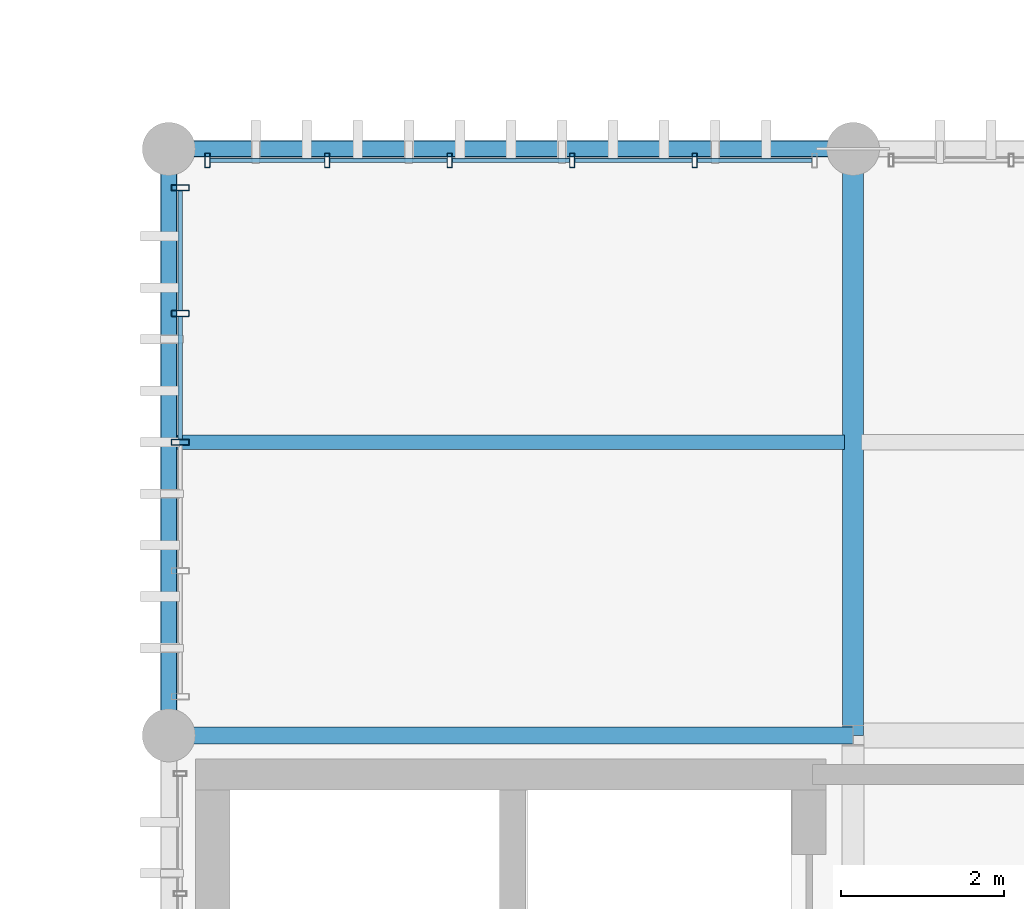
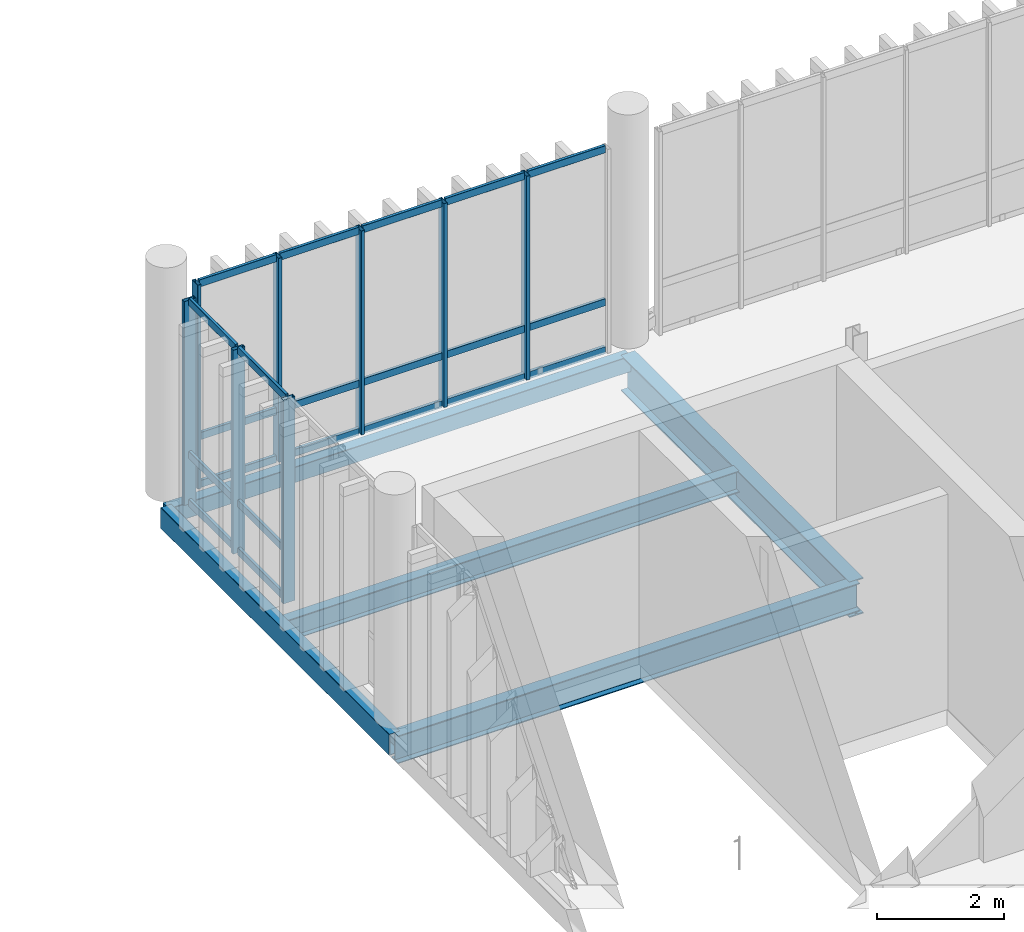
# One storey, part 21 of 66: 29 members, 5 beams, 2 elements without a shape of their own.
"""IFC4 building model written with IfcOpenShell, lengths in metres."""

from ifc_helpers import new_model, si_unit, direction, frame, origin_with_axes, origin_2d_with_axis, place, context, subcontext, project, spatial, hollow_rectangle, i_section, extrude, material, material_profile, profile_set, type_object, element, aggregate, save


model = new_model("IFC4")

# Units and contexts
model_context = context("Model", 3, precision=1e-05, world=origin_with_axes(), true_north=direction((0.0, 1.0)))
body_context = subcontext(model_context, "Body", "Model", "MODEL_VIEW")
ifc_project = project(units=[si_unit("LENGTHUNIT", "METRE"), si_unit("AREAUNIT", "SQUARE_METRE"), si_unit("VOLUMEUNIT", "CUBIC_METRE"), si_unit("PLANEANGLEUNIT", "RADIAN"), si_unit("MASSUNIT", "GRAM", prefix="KILO"), si_unit("THERMODYNAMICTEMPERATUREUNIT", "KELVIN")], contexts=[model_context])

# Site, building, storey
site_placement = place(None, origin_with_axes())
site = spatial("IfcSite", under=ifc_project, at=site_placement, CompositionType="ELEMENT")
building_placement = place(site_placement, origin_with_axes())
building = spatial("IfcBuilding", under=site, at=building_placement, Name="Montbau Bow Law Courts", CompositionType="ELEMENT")
storey_placement = place(building_placement, frame((0.0, 0.0, 34.5), z_axis=(0.0, 0.0, 1.0), x_axis=(1.0, 0.0, 0.0)))
storey = spatial("IfcBuildingStorey", under=building, at=storey_placement, Name="L07", CompositionType="ELEMENT", Elevation=34.5)

# Beams
ifc_material_1 = material(Name="Steel CSA G40.21 Grade 350W (350 MPa)", Category="steel")
ifc_material_profile_1 = material_profile(ifc_material_1, i_section(OverallWidth=0.254, OverallDepth=0.688, WebThickness=0.0131, FlangeThickness=0.0211, at=origin_2d_with_axis()), Name="W690X152", Category="Main", Priority=0)
ifc_profile_set_1 = profile_set([ifc_material_profile_1], Name="Steel CSA G40.21 Grade 350W (350 MPa)")
beam_type_1 = type_object("IfcBeamType", Name="B-FLR-04", PredefinedType="BEAM", material=ifc_profile_set_1)
beam_1_placement = place(None, frame((63.6, 54.6, 33.856), z_axis=(0.0, 1.0, 0.0), x_axis=(-1.0, 0.0, 0.0)))
element("IfcBeam", 1, at=beam_1_placement, inside=storey, type_object=beam_type_1, Name="BM-L07-S1047:bm2_1050", PredefinedType="BEAM", context=body_context, shape_type="SweptSolid", body=[
    extrude(i_section(OverallWidth=0.254, OverallDepth=0.688, WebThickness=0.0131, FlangeThickness=0.0211, at=origin_2d_with_axis()), origin_with_axes(), (0.0, 0.0, 1.0), 7.2),
])
ifc_material_profile_2 = material_profile(ifc_material_1, i_section(OverallWidth=0.21, OverallDepth=0.537, WebThickness=0.0109, FlangeThickness=0.0174, at=origin_2d_with_axis()), Name="W530X101", Category="Main", Priority=0)
ifc_profile_set_2 = profile_set([ifc_material_profile_2], Name="Steel CSA G40.21 Grade 350W (350 MPa)")
beam_type_2 = type_object("IfcBeamType", Name="B-FLR-06", PredefinedType="BEAM", material=ifc_profile_set_2)
beam_2_placement = place(None, frame((55.2, 54.6, 33.931), z_axis=(1.0, 0.0, 0.0), x_axis=(0.0, 1.0, 0.0)))
element("IfcBeam", 2, at=beam_2_placement, inside=storey, type_object=beam_type_2, Name="BM-L07-S1030:bm2_1033", PredefinedType="BEAM", context=body_context, shape_type="SweptSolid", body=[
    extrude(i_section(OverallWidth=0.21, OverallDepth=0.537, WebThickness=0.0109, FlangeThickness=0.0174, at=origin_2d_with_axis()), origin_with_axes(), (0.0, 0.0, 1.0), 8.4),
])
ifc_material_profile_3 = material_profile(ifc_material_1, i_section(OverallWidth=0.179, OverallDepth=0.41, WebThickness=0.0088, FlangeThickness=0.0144, at=origin_2d_with_axis()), Name="W410X67", Category="Main", Priority=0)
ifc_profile_set_3 = profile_set([ifc_material_profile_3], Name="Steel CSA G40.21 Grade 350W (350 MPa)")
beam_type_3 = type_object("IfcBeamType", Name="B-JST-02", PredefinedType="JOIST", material=ifc_profile_set_3)
beam_3_placement = place(None, frame((55.28, 58.2, 33.995), z_axis=(1.0, 0.0, 0.0), x_axis=(0.0, 1.0, 0.0)))
element("IfcBeam", 3, at=beam_3_placement, inside=storey, type_object=beam_type_3, Name="JST-L07-S0529:jst2_0529", PredefinedType="JOIST", context=body_context, shape_type="SweptSolid", body=[
    extrude(i_section(OverallWidth=0.179, OverallDepth=0.41, WebThickness=0.0088, FlangeThickness=0.0144, at=origin_2d_with_axis()), origin_with_axes(), (0.0, 0.0, 1.0), 8.217),
])
ifc_material_2 = material(Name="Steel CSA G40.21 Grade 350WT (350 MPa)", Category="steel")
ifc_material_profile_4 = material_profile(ifc_material_2, hollow_rectangle(XDim=0.203, YDim=0.406, WallThickness=0.0127, InnerFilletRadius=0.0254, OuterFilletRadius=0.0127, at=origin_2d_with_axis()), Name="HSS406X203X13", Category="Main", Priority=0)
ifc_profile_set_4 = profile_set([ifc_material_profile_4], Name="Steel CSA G40.21 Grade 350WT (350 MPa)")
beam_type_4 = type_object("IfcBeamType", Name="B-SPN-01", PredefinedType="SPANDREL", material=ifc_profile_set_4)
beam_4_placement = place(None, frame((55.2, 54.6, 33.997), z_axis=(0.0, 1.0, 0.0), x_axis=(-1.0, 0.0, 0.0)))
element("IfcBeam", 4, at=beam_4_placement, inside=storey, type_object=beam_type_4, Name="SPN-L07-S1044:bm2_1047", PredefinedType="SPANDREL", context=body_context, shape_type="SweptSolid", body=[
    extrude(hollow_rectangle(XDim=0.203, YDim=0.406, WallThickness=0.0127, InnerFilletRadius=0.0254, OuterFilletRadius=0.0127, at=origin_2d_with_axis()), origin_with_axes(), (0.0, 0.0, 1.0), 7.2),
])
ifc_material_profile_5 = material_profile(ifc_material_2, hollow_rectangle(XDim=0.203, YDim=0.305, WallThickness=0.0127, InnerFilletRadius=0.0254, OuterFilletRadius=0.0127, at=origin_2d_with_axis()), Name="HSS305X203X13", Category="Main", Priority=0)
ifc_profile_set_5 = profile_set([ifc_material_profile_5], Name="Steel CSA G40.21 Grade 350WT (350 MPa)")
beam_type_5 = type_object("IfcBeamType", Name="B-SPN-02", PredefinedType="SPANDREL", material=ifc_profile_set_5)
beam_5_placement = place(None, frame((55.2, 61.8, 34.047), z_axis=(1.0, 0.0, 0.0), x_axis=(0.0, 1.0, 0.0)))
element("IfcBeam", 5, at=beam_5_placement, inside=storey, type_object=beam_type_5, Name="SPN-L07-S1036:bm2_1039", PredefinedType="SPANDREL", context=body_context, shape_type="SweptSolid", body=[
    extrude(hollow_rectangle(XDim=0.203, YDim=0.305, WallThickness=0.0127, InnerFilletRadius=0.0254, OuterFilletRadius=0.0127, at=origin_2d_with_axis()), origin_with_axes(), (0.0, 0.0, 1.0), 8.4),
])

# Curtain wall, members
ifc_material_3 = material(Name="Thermally Broken Extruded Aluminium AA 6063-T6", Category="aluminium")
curtain_wall_type = type_object("IfcCurtainWallType", Name="CW-CRM-02", PredefinedType="NOTDEFINED", material=ifc_material_3)
curtain_wall_1_placement = place(None, frame((55.34, 55.04, 34.5), z_axis=(0.0, 0.0, 1.0), x_axis=(1.0, 0.0, 0.0)))
curtain_wall_1 = element("IfcCurtainWall", 6, at=curtain_wall_1_placement, inside=storey, type_object=curtain_wall_type, Name="CW-L07-255:cw_0255", PredefinedType="NOTDEFINED")
ifc_material_profile_6 = material_profile(ifc_material_3, hollow_rectangle(XDim=0.075, YDim=0.22, WallThickness=0.005, InnerFilletRadius=0.01, OuterFilletRadius=0.005, at=origin_2d_with_axis()), Name="CWM-220X75", Category="Main", Priority=0)
ifc_profile_set_6 = profile_set([ifc_material_profile_6], Name="Thermally Broken Extruded Aluminium AA 6063-T6")
member_type_1 = type_object("IfcMemberType", Name="M-MUL-01", PredefinedType="MULLION", material=ifc_profile_set_6)
member_1_placement = place(None, frame((55.34, 58.2, 34.5), z_axis=(0.0, 0.0, 1.0), x_axis=(0.0, 1.0, 0.0)))
member_1 = element("IfcMember", 7, at=member_1_placement, type_object=member_type_1, Name="CW-L07-255-M03:cw_0255_M03", PredefinedType="MULLION", context=body_context, shape_type="SweptSolid", body=[
    extrude(hollow_rectangle(XDim=0.075, YDim=0.22, WallThickness=0.005, InnerFilletRadius=0.01, OuterFilletRadius=0.005, at=origin_2d_with_axis()), origin_with_axes(), (0.0, 0.0, 1.0), 3.92),
])
member_2_placement = place(None, frame((55.34, 59.78, 34.5), z_axis=(0.0, 0.0, 1.0), x_axis=(0.0, 1.0, 0.0)))
member_2 = element("IfcMember", 8, at=member_2_placement, type_object=member_type_1, Name="CW-L07-255-M04:cw_0255_M04", PredefinedType="MULLION", context=body_context, shape_type="SweptSolid", body=[
    extrude(hollow_rectangle(XDim=0.075, YDim=0.22, WallThickness=0.005, InnerFilletRadius=0.01, OuterFilletRadius=0.005, at=origin_2d_with_axis()), origin_with_axes(), (0.0, 0.0, 1.0), 3.92),
])
member_3_placement = place(None, frame((55.34, 61.323, 34.5), z_axis=(0.0, 0.0, 1.0), x_axis=(0.0, 1.0, 0.0)))
member_3 = element("IfcMember", 9, at=member_3_placement, type_object=member_type_1, Name="CW-L07-255-M05:cw_0255_M05", PredefinedType="MULLION", context=body_context, shape_type="SweptSolid", body=[
    extrude(hollow_rectangle(XDim=0.075, YDim=0.22, WallThickness=0.005, InnerFilletRadius=0.01, OuterFilletRadius=0.005, at=origin_2d_with_axis()), origin_with_axes(), (0.0, 0.0, 1.0), 3.92),
])

curtain_wall_2_placement = place(None, frame((55.64, 61.66, 34.5), z_axis=(0.0, 0.0, 1.0), x_axis=(1.0, 0.0, 0.0)))
curtain_wall_2 = element("IfcCurtainWall", 10, at=curtain_wall_2_placement, inside=storey, type_object=curtain_wall_type, Name="CW-L07-247:cw_0247", PredefinedType="NOTDEFINED")
ifc_material_profile_7 = material_profile(ifc_material_3, hollow_rectangle(XDim=0.065, YDim=0.18, WallThickness=0.005, InnerFilletRadius=0.01, OuterFilletRadius=0.005, at=origin_2d_with_axis()), Name="CWM-180X65", Category="Main", Priority=0)
ifc_profile_set_7 = profile_set([ifc_material_profile_7], Name="Thermally Broken Extruded Aluminium AA 6063-T6")
member_type_2 = type_object("IfcMemberType", Name="M-MUL-02", PredefinedType="MULLION", material=ifc_profile_set_7)
member_4_placement = place(None, frame((55.673, 61.66, 34.5), z_axis=(0.0, 0.0, 1.0), x_axis=(1.0, 0.0, 0.0)))
member_4 = element("IfcMember", 11, at=member_4_placement, type_object=member_type_2, Name="CW-L07-247-M01:cw_0247_M01", PredefinedType="MULLION", context=body_context, shape_type="SweptSolid", body=[
    extrude(hollow_rectangle(XDim=0.065, YDim=0.18, WallThickness=0.005, InnerFilletRadius=0.01, OuterFilletRadius=0.005, at=origin_2d_with_axis()), origin_with_axes(), (0.0, 0.0, 1.0), 3.92),
])
member_5_placement = place(None, frame((57.144, 61.66, 34.5), z_axis=(0.0, 0.0, 1.0), x_axis=(1.0, 0.0, 0.0)))
member_5 = element("IfcMember", 12, at=member_5_placement, type_object=member_type_2, Name="CW-L07-247-M02:cw_0247_M02", PredefinedType="MULLION", context=body_context, shape_type="SweptSolid", body=[
    extrude(hollow_rectangle(XDim=0.065, YDim=0.18, WallThickness=0.005, InnerFilletRadius=0.01, OuterFilletRadius=0.005, at=origin_2d_with_axis()), origin_with_axes(), (0.0, 0.0, 1.0), 3.92),
])
member_6_placement = place(None, frame((58.648, 61.66, 34.5), z_axis=(0.0, 0.0, 1.0), x_axis=(1.0, 0.0, 0.0)))
member_6 = element("IfcMember", 13, at=member_6_placement, type_object=member_type_2, Name="CW-L07-247-M03:cw_0247_M03", PredefinedType="MULLION", context=body_context, shape_type="SweptSolid", body=[
    extrude(hollow_rectangle(XDim=0.065, YDim=0.18, WallThickness=0.005, InnerFilletRadius=0.01, OuterFilletRadius=0.005, at=origin_2d_with_axis()), origin_with_axes(), (0.0, 0.0, 1.0), 3.92),
])
member_7_placement = place(None, frame((60.152, 61.66, 34.5), z_axis=(0.0, 0.0, 1.0), x_axis=(1.0, 0.0, 0.0)))
member_7 = element("IfcMember", 14, at=member_7_placement, type_object=member_type_2, Name="CW-L07-247-M04:cw_0247_M04", PredefinedType="MULLION", context=body_context, shape_type="SweptSolid", body=[
    extrude(hollow_rectangle(XDim=0.065, YDim=0.18, WallThickness=0.005, InnerFilletRadius=0.01, OuterFilletRadius=0.005, at=origin_2d_with_axis()), origin_with_axes(), (0.0, 0.0, 1.0), 3.92),
])
member_8_placement = place(None, frame((61.656, 61.66, 34.5), z_axis=(0.0, 0.0, 1.0), x_axis=(1.0, 0.0, 0.0)))
member_8 = element("IfcMember", 15, at=member_8_placement, type_object=member_type_2, Name="CW-L07-247-M05:cw_0247_M05", PredefinedType="MULLION", context=body_context, shape_type="SweptSolid", body=[
    extrude(hollow_rectangle(XDim=0.065, YDim=0.18, WallThickness=0.005, InnerFilletRadius=0.01, OuterFilletRadius=0.005, at=origin_2d_with_axis()), origin_with_axes(), (0.0, 0.0, 1.0), 3.92),
])
ifc_material_profile_8 = material_profile(ifc_material_3, hollow_rectangle(XDim=0.055, YDim=0.14, WallThickness=0.004, InnerFilletRadius=0.008, OuterFilletRadius=0.004, at=origin_2d_with_axis()), Name="CWT-140X55", Category="Main", Priority=0)
ifc_profile_set_8 = profile_set([ifc_material_profile_8], Name="Thermally Broken Extruded Aluminium AA 6063-T6")
member_type_3 = type_object("IfcMemberType", Name="M-TRN-02", PredefinedType="USERDEFINED", material=ifc_profile_set_8)
member_9_placement = place(None, frame((55.708, 61.66, 34.528), z_axis=(1.0, 0.0, 0.0), x_axis=(0.0, 1.0, 0.0)))
member_9 = element("IfcMember", 16, at=member_9_placement, type_object=member_type_3, Name="CW-L07-247-T01-1:cw_0247_T01_1", ObjectType="TRANSOM", PredefinedType="USERDEFINED", context=body_context, shape_type="SweptSolid", body=[
    extrude(hollow_rectangle(XDim=0.055, YDim=0.14, WallThickness=0.004, InnerFilletRadius=0.008, OuterFilletRadius=0.004, at=origin_2d_with_axis()), origin_with_axes(), (0.0, 0.0, 1.0), 1.402),
])
member_10_placement = place(None, frame((55.708, 61.66, 35.45), z_axis=(1.0, 0.0, 0.0), x_axis=(0.0, 1.0, 0.0)))
member_10 = element("IfcMember", 17, at=member_10_placement, type_object=member_type_3, Name="CW-L07-247-T01-2:cw_0247_T01_2", ObjectType="TRANSOM", PredefinedType="USERDEFINED", context=body_context, shape_type="SweptSolid", body=[
    extrude(hollow_rectangle(XDim=0.055, YDim=0.14, WallThickness=0.004, InnerFilletRadius=0.008, OuterFilletRadius=0.004, at=origin_2d_with_axis()), origin_with_axes(), (0.0, 0.0, 1.0), 1.402),
])
member_11_placement = place(None, frame((55.708, 61.66, 38.392), z_axis=(1.0, 0.0, 0.0), x_axis=(0.0, 1.0, 0.0)))
member_11 = element("IfcMember", 18, at=member_11_placement, type_object=member_type_3, Name="CW-L07-247-T01-3:cw_0247_T01_3", ObjectType="TRANSOM", PredefinedType="USERDEFINED", context=body_context, shape_type="SweptSolid", body=[
    extrude(hollow_rectangle(XDim=0.055, YDim=0.14, WallThickness=0.004, InnerFilletRadius=0.008, OuterFilletRadius=0.004, at=origin_2d_with_axis()), origin_with_axes(), (0.0, 0.0, 1.0), 1.402),
])
member_12_placement = place(None, frame((57.178, 61.66, 34.528), z_axis=(1.0, 0.0, 0.0), x_axis=(0.0, 1.0, 0.0)))
member_12 = element("IfcMember", 19, at=member_12_placement, type_object=member_type_3, Name="CW-L07-247-T02-1:cw_0247_T02_1", ObjectType="TRANSOM", PredefinedType="USERDEFINED", context=body_context, shape_type="SweptSolid", body=[
    extrude(hollow_rectangle(XDim=0.055, YDim=0.14, WallThickness=0.004, InnerFilletRadius=0.008, OuterFilletRadius=0.004, at=origin_2d_with_axis()), origin_with_axes(), (0.0, 0.0, 1.0), 1.436),
])
member_13_placement = place(None, frame((57.178, 61.66, 35.45), z_axis=(1.0, 0.0, 0.0), x_axis=(0.0, 1.0, 0.0)))
member_13 = element("IfcMember", 20, at=member_13_placement, type_object=member_type_3, Name="CW-L07-247-T02-2:cw_0247_T02_2", ObjectType="TRANSOM", PredefinedType="USERDEFINED", context=body_context, shape_type="SweptSolid", body=[
    extrude(hollow_rectangle(XDim=0.055, YDim=0.14, WallThickness=0.004, InnerFilletRadius=0.008, OuterFilletRadius=0.004, at=origin_2d_with_axis()), origin_with_axes(), (0.0, 0.0, 1.0), 1.436),
])
member_14_placement = place(None, frame((57.178, 61.66, 38.392), z_axis=(1.0, 0.0, 0.0), x_axis=(0.0, 1.0, 0.0)))
member_14 = element("IfcMember", 21, at=member_14_placement, type_object=member_type_3, Name="CW-L07-247-T02-3:cw_0247_T02_3", ObjectType="TRANSOM", PredefinedType="USERDEFINED", context=body_context, shape_type="SweptSolid", body=[
    extrude(hollow_rectangle(XDim=0.055, YDim=0.14, WallThickness=0.004, InnerFilletRadius=0.008, OuterFilletRadius=0.004, at=origin_2d_with_axis()), origin_with_axes(), (0.0, 0.0, 1.0), 1.436),
])
member_15_placement = place(None, frame((58.682, 61.66, 34.528), z_axis=(1.0, 0.0, 0.0), x_axis=(0.0, 1.0, 0.0)))
member_15 = element("IfcMember", 22, at=member_15_placement, type_object=member_type_3, Name="CW-L07-247-T03-1:cw_0247_T03_1", ObjectType="TRANSOM", PredefinedType="USERDEFINED", context=body_context, shape_type="SweptSolid", body=[
    extrude(hollow_rectangle(XDim=0.055, YDim=0.14, WallThickness=0.004, InnerFilletRadius=0.008, OuterFilletRadius=0.004, at=origin_2d_with_axis()), origin_with_axes(), (0.0, 0.0, 1.0), 1.436),
])
member_16_placement = place(None, frame((58.682, 61.66, 35.45), z_axis=(1.0, 0.0, 0.0), x_axis=(0.0, 1.0, 0.0)))
member_16 = element("IfcMember", 23, at=member_16_placement, type_object=member_type_3, Name="CW-L07-247-T03-2:cw_0247_T03_2", ObjectType="TRANSOM", PredefinedType="USERDEFINED", context=body_context, shape_type="SweptSolid", body=[
    extrude(hollow_rectangle(XDim=0.055, YDim=0.14, WallThickness=0.004, InnerFilletRadius=0.008, OuterFilletRadius=0.004, at=origin_2d_with_axis()), origin_with_axes(), (0.0, 0.0, 1.0), 1.436),
])
member_17_placement = place(None, frame((58.682, 61.66, 38.392), z_axis=(1.0, 0.0, 0.0), x_axis=(0.0, 1.0, 0.0)))
member_17 = element("IfcMember", 24, at=member_17_placement, type_object=member_type_3, Name="CW-L07-247-T03-3:cw_0247_T03_3", ObjectType="TRANSOM", PredefinedType="USERDEFINED", context=body_context, shape_type="SweptSolid", body=[
    extrude(hollow_rectangle(XDim=0.055, YDim=0.14, WallThickness=0.004, InnerFilletRadius=0.008, OuterFilletRadius=0.004, at=origin_2d_with_axis()), origin_with_axes(), (0.0, 0.0, 1.0), 1.436),
])
member_18_placement = place(None, frame((60.186, 61.66, 34.528), z_axis=(1.0, 0.0, 0.0), x_axis=(0.0, 1.0, 0.0)))
member_18 = element("IfcMember", 25, at=member_18_placement, type_object=member_type_3, Name="CW-L07-247-T04-1:cw_0247_T04_1", ObjectType="TRANSOM", PredefinedType="USERDEFINED", context=body_context, shape_type="SweptSolid", body=[
    extrude(hollow_rectangle(XDim=0.055, YDim=0.14, WallThickness=0.004, InnerFilletRadius=0.008, OuterFilletRadius=0.004, at=origin_2d_with_axis()), origin_with_axes(), (0.0, 0.0, 1.0), 1.436),
])
member_19_placement = place(None, frame((60.186, 61.66, 35.45), z_axis=(1.0, 0.0, 0.0), x_axis=(0.0, 1.0, 0.0)))
member_19 = element("IfcMember", 26, at=member_19_placement, type_object=member_type_3, Name="CW-L07-247-T04-2:cw_0247_T04_2", ObjectType="TRANSOM", PredefinedType="USERDEFINED", context=body_context, shape_type="SweptSolid", body=[
    extrude(hollow_rectangle(XDim=0.055, YDim=0.14, WallThickness=0.004, InnerFilletRadius=0.008, OuterFilletRadius=0.004, at=origin_2d_with_axis()), origin_with_axes(), (0.0, 0.0, 1.0), 1.436),
])
member_20_placement = place(None, frame((60.186, 61.66, 38.392), z_axis=(1.0, 0.0, 0.0), x_axis=(0.0, 1.0, 0.0)))
member_20 = element("IfcMember", 27, at=member_20_placement, type_object=member_type_3, Name="CW-L07-247-T04-3:cw_0247_T04_3", ObjectType="TRANSOM", PredefinedType="USERDEFINED", context=body_context, shape_type="SweptSolid", body=[
    extrude(hollow_rectangle(XDim=0.055, YDim=0.14, WallThickness=0.004, InnerFilletRadius=0.008, OuterFilletRadius=0.004, at=origin_2d_with_axis()), origin_with_axes(), (0.0, 0.0, 1.0), 1.436),
])
member_21_placement = place(None, frame((61.69, 61.66, 34.528), z_axis=(1.0, 0.0, 0.0), x_axis=(0.0, 1.0, 0.0)))
member_21 = element("IfcMember", 28, at=member_21_placement, type_object=member_type_3, Name="CW-L07-247-T05-1:cw_0247_T05_1", ObjectType="TRANSOM", PredefinedType="USERDEFINED", context=body_context, shape_type="SweptSolid", body=[
    extrude(hollow_rectangle(XDim=0.055, YDim=0.14, WallThickness=0.004, InnerFilletRadius=0.008, OuterFilletRadius=0.004, at=origin_2d_with_axis()), origin_with_axes(), (0.0, 0.0, 1.0), 1.403),
])
member_22_placement = place(None, frame((61.69, 61.66, 35.45), z_axis=(1.0, 0.0, 0.0), x_axis=(0.0, 1.0, 0.0)))
member_22 = element("IfcMember", 29, at=member_22_placement, type_object=member_type_3, Name="CW-L07-247-T05-2:cw_0247_T05_2", ObjectType="TRANSOM", PredefinedType="USERDEFINED", context=body_context, shape_type="SweptSolid", body=[
    extrude(hollow_rectangle(XDim=0.055, YDim=0.14, WallThickness=0.004, InnerFilletRadius=0.008, OuterFilletRadius=0.004, at=origin_2d_with_axis()), origin_with_axes(), (0.0, 0.0, 1.0), 1.403),
])
member_23_placement = place(None, frame((61.69, 61.66, 38.392), z_axis=(1.0, 0.0, 0.0), x_axis=(0.0, 1.0, 0.0)))
member_23 = element("IfcMember", 30, at=member_23_placement, type_object=member_type_3, Name="CW-L07-247-T05-3:cw_0247_T05_3", ObjectType="TRANSOM", PredefinedType="USERDEFINED", context=body_context, shape_type="SweptSolid", body=[
    extrude(hollow_rectangle(XDim=0.055, YDim=0.14, WallThickness=0.004, InnerFilletRadius=0.008, OuterFilletRadius=0.004, at=origin_2d_with_axis()), origin_with_axes(), (0.0, 0.0, 1.0), 1.403),
])
aggregate(curtain_wall_2, [member_4, member_5, member_6, member_7, member_8, member_9, member_10, member_11, member_12, member_13, member_14, member_15, member_16, member_17, member_18, member_19, member_20, member_21, member_22, member_23])

# Member
member_24_placement = place(None, frame((55.34, 58.24, 34.528), z_axis=(0.0, 1.0, 0.0), x_axis=(-1.0, 0.0, 0.0)))
member_24 = element("IfcMember", 31, at=member_24_placement, type_object=member_type_3, Name="CW-L07-255-T03-1:cw_0255_T03_1", ObjectType="TRANSOM", PredefinedType="USERDEFINED", context=body_context, shape_type="SweptSolid", body=[
    extrude(hollow_rectangle(XDim=0.055, YDim=0.14, WallThickness=0.004, InnerFilletRadius=0.008, OuterFilletRadius=0.004, at=origin_2d_with_axis()), origin_with_axes(), (0.0, 0.0, 1.0), 1.501),
])

member_25_placement = place(None, frame((55.34, 58.24, 35.45), z_axis=(0.0, 1.0, 0.0), x_axis=(-1.0, 0.0, 0.0)))
member_25 = element("IfcMember", 32, at=member_25_placement, type_object=member_type_3, Name="CW-L07-255-T03-2:cw_0255_T03_2", ObjectType="TRANSOM", PredefinedType="USERDEFINED", context=body_context, shape_type="SweptSolid", body=[
    extrude(hollow_rectangle(XDim=0.055, YDim=0.14, WallThickness=0.004, InnerFilletRadius=0.008, OuterFilletRadius=0.004, at=origin_2d_with_axis()), origin_with_axes(), (0.0, 0.0, 1.0), 1.501),
])

member_26_placement = place(None, frame((55.34, 58.24, 38.392), z_axis=(0.0, 1.0, 0.0), x_axis=(-1.0, 0.0, 0.0)))
member_26 = element("IfcMember", 33, at=member_26_placement, type_object=member_type_3, Name="CW-L07-255-T03-3:cw_0255_T03_3", ObjectType="TRANSOM", PredefinedType="USERDEFINED", context=body_context, shape_type="SweptSolid", body=[
    extrude(hollow_rectangle(XDim=0.055, YDim=0.14, WallThickness=0.004, InnerFilletRadius=0.008, OuterFilletRadius=0.004, at=origin_2d_with_axis()), origin_with_axes(), (0.0, 0.0, 1.0), 1.501),
])

member_27_placement = place(None, frame((55.34, 59.819, 34.528), z_axis=(0.0, 1.0, 0.0), x_axis=(-1.0, 0.0, 0.0)))
member_27 = element("IfcMember", 34, at=member_27_placement, type_object=member_type_3, Name="CW-L07-255-T04-1:cw_0255_T04_1", ObjectType="TRANSOM", PredefinedType="USERDEFINED", context=body_context, shape_type="SweptSolid", body=[
    extrude(hollow_rectangle(XDim=0.055, YDim=0.14, WallThickness=0.004, InnerFilletRadius=0.008, OuterFilletRadius=0.004, at=origin_2d_with_axis()), origin_with_axes(), (0.0, 0.0, 1.0), 1.465),
])

member_28_placement = place(None, frame((55.34, 59.819, 35.45), z_axis=(0.0, 1.0, 0.0), x_axis=(-1.0, 0.0, 0.0)))
member_28 = element("IfcMember", 35, at=member_28_placement, type_object=member_type_3, Name="CW-L07-255-T04-2:cw_0255_T04_2", ObjectType="TRANSOM", PredefinedType="USERDEFINED", context=body_context, shape_type="SweptSolid", body=[
    extrude(hollow_rectangle(XDim=0.055, YDim=0.14, WallThickness=0.004, InnerFilletRadius=0.008, OuterFilletRadius=0.004, at=origin_2d_with_axis()), origin_with_axes(), (0.0, 0.0, 1.0), 1.465),
])

member_29_placement = place(None, frame((55.34, 59.819, 38.392), z_axis=(0.0, 1.0, 0.0), x_axis=(-1.0, 0.0, 0.0)))
member_29 = element("IfcMember", 36, at=member_29_placement, type_object=member_type_3, Name="CW-L07-255-T04-3:cw_0255_T04_3", ObjectType="TRANSOM", PredefinedType="USERDEFINED", context=body_context, shape_type="SweptSolid", body=[
    extrude(hollow_rectangle(XDim=0.055, YDim=0.14, WallThickness=0.004, InnerFilletRadius=0.008, OuterFilletRadius=0.004, at=origin_2d_with_axis()), origin_with_axes(), (0.0, 0.0, 1.0), 1.465),
])

aggregate(curtain_wall_1, [member_1, member_2, member_3, member_24, member_25, member_26, member_27, member_28, member_29])

save(model, "model.ifc")
